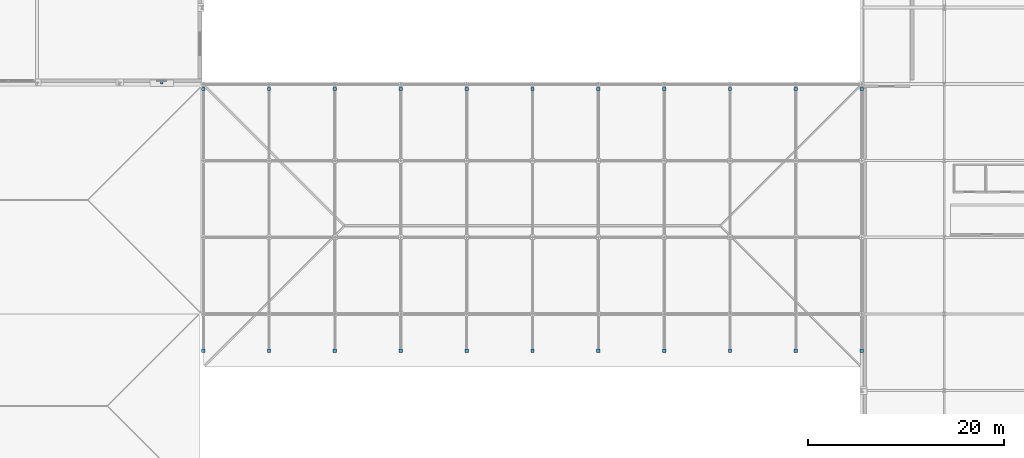
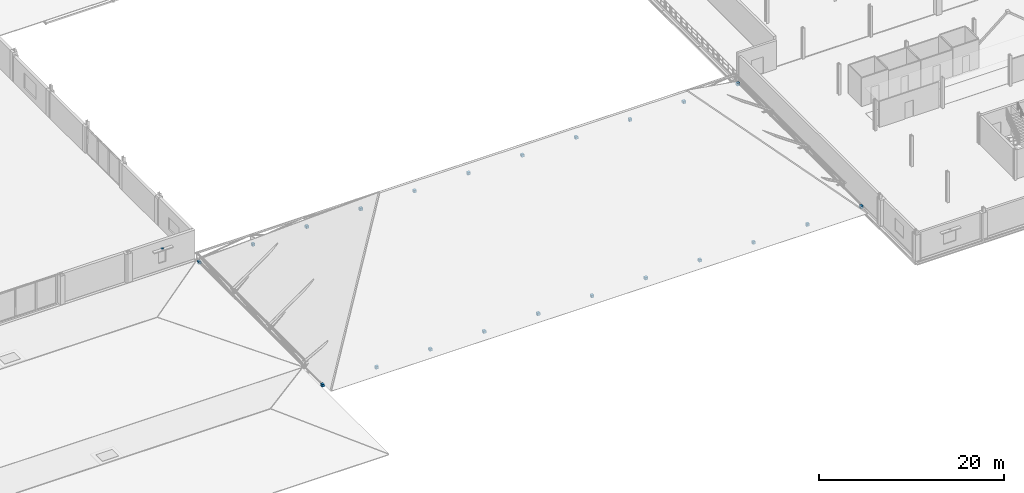
# One storey, part 65 of 77: 23 discrete accessories.
"""IFC4 building model written with IfcOpenShell, lengths in metres."""

from ifc_helpers import new_model, si_unit, direction, frame, origin, origin_2d, place, context, subcontext, project, spatial, rectangle, extrude, material, layer, layer_set, type_object, element, save


model = new_model("IFC4")

# Units and contexts
model_context = context("Model", 3, precision=1e-05, world=origin(), true_north=direction((0.0, 1.0)))
body_context = subcontext(model_context, "Body", "Model", "MODEL_VIEW")
ifc_project = project(units=[si_unit("LENGTHUNIT", "METRE"), si_unit("AREAUNIT", "SQUARE_METRE"), si_unit("VOLUMEUNIT", "CUBIC_METRE"), si_unit("PLANEANGLEUNIT", "RADIAN"), si_unit("MASSUNIT", "GRAM", prefix="KILO")], contexts=[model_context])

# Site, building, storey
site_placement = place(None, origin())
site = spatial("IfcSite", under=ifc_project, at=site_placement, CompositionType="ELEMENT")
building_placement = place(site_placement, origin())
building = spatial("IfcBuilding", under=site, at=building_placement, Name="Nabrawat Pavilion Hospital", CompositionType="ELEMENT")
storey_placement = place(building_placement, frame((0.0, 0.0, 14.85009765625)))
storey = spatial("IfcBuildingStorey", under=building, at=storey_placement, Name="L03", CompositionType="ELEMENT", Elevation=14.85009765625)

# Discrete accessories
ifc_material = material(Name="Steel S355", Category="steel")
ifc_layer_1 = layer(ifc_material, 0.02001953125, Name="Steel S355")
ifc_layer_set_1 = layer_set([ifc_layer_1], Name="Steel S355")
discrete_accessory_type_1 = type_object("IfcDiscreteAccessoryType", Name="Brace and Strut Gusset End Bracket 20", PredefinedType="BRACKET", material=ifc_layer_set_1)
for number, where, z_axis, x_axis, name in (
    (1, (58.919921875, 11.85009765625, -0.2900390625), (0.0, 0.0, 1.0), (1.0, 0.0, 0.0), "L03 Brace and Strut Gusset End Connection 0140"),
    (2, (58.919921875, 38.5, -0.2900390625), (0.0, 0.0, 1.0), (1.0, 0.0, 0.0), "L03 Brace and Strut Gusset End Connection 0141"),
    (3, (65.6279296875, 11.85009765625, -0.2900390625), (0.0, 0.0, 1.0), (1.0, 0.0, 0.0), "L03 Brace and Strut Gusset End Connection 0142"),
    (4, (65.6279296875, 38.5, -0.2900390625), (0.0, 0.0, 1.0), (1.0, 0.0, 0.0), "L03 Brace and Strut Gusset End Connection 0143"),
    (5, (72.3359375, 11.85009765625, -0.2900390625), (0.0, 0.0, 1.0), (1.0, 0.0, 0.0), "L03 Brace and Strut Gusset End Connection 0144"),
    (6, (72.3359375, 38.5, -0.2900390625), (0.0, 0.0, 1.0), (1.0, 0.0, 0.0), "L03 Brace and Strut Gusset End Connection 0145"),
    (7, (79.0439453125, 11.85009765625, -0.2900390625), (0.0, 0.0, 1.0), (1.0, 0.0, 0.0), "L03 Brace and Strut Gusset End Connection 0146"),
    (8, (79.0439453125, 38.5, -0.2900390625), (0.0, 0.0, 1.0), (1.0, 0.0, 0.0), "L03 Brace and Strut Gusset End Connection 0147"),
    (9, (85.751953125, 11.85009765625, -0.2900390625), (0.0, 0.0, 1.0), (1.0, 0.0, 0.0), "L03 Brace and Strut Gusset End Connection 0148"),
    (10, (85.751953125, 38.5, -0.2900390625), (0.0, 0.0, 1.0), (1.0, 0.0, 0.0), "L03 Brace and Strut Gusset End Connection 0149"),
    (11, (92.4599609375, 11.85009765625, -0.2900390625), (0.0, 0.0, 1.0), (1.0, 0.0, 0.0), "L03 Brace and Strut Gusset End Connection 0150"),
    (12, (92.4599609375, 38.5, -0.2900390625), (0.0, 0.0, 1.0), (1.0, 0.0, 0.0), "L03 Brace and Strut Gusset End Connection 0151"),
    (13, (99.16796875, 11.85009765625, -0.2900390625), (0.0, 0.0, 1.0), (1.0, 0.0, 0.0), "L03 Brace and Strut Gusset End Connection 0152"),
    (14, (99.16796875, 38.5, -0.2900390625), (0.0, 0.0, 1.0), (1.0, 0.0, 0.0), "L03 Brace and Strut Gusset End Connection 0153"),
    (15, (105.8759765625, 11.85009765625, -0.2900390625), (0.0, 0.0, 1.0), (1.0, 0.0, 0.0), "L03 Brace and Strut Gusset End Connection 0154"),
    (16, (105.8759765625, 38.5, -0.2900390625), (0.0, 0.0, 1.0), (1.0, 0.0, 0.0), "L03 Brace and Strut Gusset End Connection 0155"),
    (17, (112.583984375, 11.85009765625, -0.2900390625), (0.0, 0.0, 1.0), (1.0, 0.0, 0.0), "L03 Brace and Strut Gusset End Connection 0156"),
    (18, (112.583984375, 38.5, -0.2900390625), (0.0, 0.0, 1.0), (1.0, 0.0, 0.0), "L03 Brace and Strut Gusset End Connection 0157"),
    (19, (119.2919921875, 11.85009765625, -0.2900390625), (0.0, 0.0, 1.0), (1.0, 0.0, 0.0), "L03 Brace and Strut Gusset End Connection 0158"),
    (20, (119.2919921875, 38.5, -0.2900390625), (0.0, 0.0, 1.0), (1.0, 0.0, 0.0), "L03 Brace and Strut Gusset End Connection 0159"),
    (21, (126.0, 11.85009765625, -0.2900390625), (0.0, 0.0, 1.0), (1.0, 0.0, 0.0), "L03 Brace and Strut Gusset End Connection 0160"),
    (22, (126.0, 38.5, -0.2900390625), (0.0, 0.0, 1.0), (1.0, 0.0, 0.0), "L03 Brace and Strut Gusset End Connection 0161"),
):
    element("IfcDiscreteAccessory", number, at=place(storey_placement, frame(where, z_axis=z_axis, x_axis=x_axis)), inside=storey, type_object=discrete_accessory_type_1, Name=name, PredefinedType="BRACKET", context=body_context, shape_type="SweptSolid", body=[
        extrude(rectangle(XDim=0.340087890625, YDim=0.340087890625, at=origin_2d()), origin(), (0.0, 0.0, 1.0), 0.340087890625),
    ])
ifc_layer_2 = layer(ifc_material, 0.159912109375, Name="Steel S355")
ifc_layer_set_2 = layer_set([ifc_layer_2], Name="Steel S355")
discrete_accessory_type_2 = type_object("IfcDiscreteAccessoryType", Name="Facade Shading Support Steel Bracket", PredefinedType="BRACKET", material=ifc_layer_set_2)
discrete_accessory_placement = place(storey_placement, frame((54.699951171875, 39.155029296875, 2.669921875), z_axis=(0.0, 0.0, 1.0), x_axis=(1.0, 0.0, 0.0)))
element("IfcDiscreteAccessory", 23, at=discrete_accessory_placement, inside=storey, type_object=discrete_accessory_type_2, Name="L03 Facade Shading Bracket 015", PredefinedType="BRACKET", context=body_context, shape_type="SweptSolid", body=[
    extrude(rectangle(XDim=0.239990234375, YDim=0.280029296875, at=origin_2d()), origin(), (0.0, 0.0, 1.0), 0.159912109375),
])

save(model, "model.ifc")
